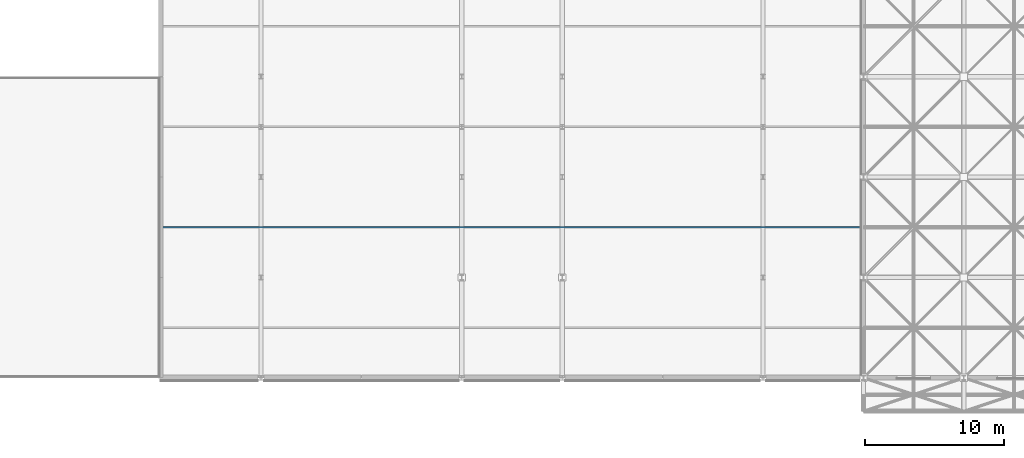
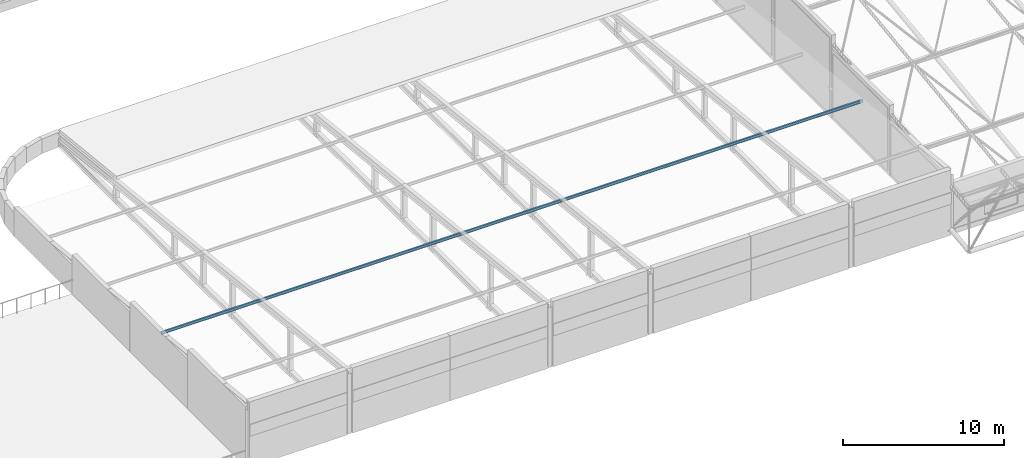
# One storey, part 23 of 103: 1 member.
"""IFC4 building model written with IfcOpenShell, lengths in metres."""

from ifc_helpers import new_model, si_unit, direction, frame, origin, origin_2d, place, context, subcontext, project, spatial, i_section, extrude, material, material_profile, profile_set, type_object, element, save


model = new_model("IFC4")

# Units and contexts
model_context = context("Model", 3, precision=1e-05, world=origin(), true_north=direction((0.0, 1.0)))
body_context = subcontext(model_context, "Body", "Model", "MODEL_VIEW")
ifc_project = project(units=[si_unit("LENGTHUNIT", "METRE"), si_unit("AREAUNIT", "SQUARE_METRE"), si_unit("VOLUMEUNIT", "CUBIC_METRE"), si_unit("PLANEANGLEUNIT", "RADIAN"), si_unit("MASSUNIT", "GRAM", prefix="KILO")], contexts=[model_context])

# Site, building, storey
site_placement = place(None, origin())
site = spatial("IfcSite", under=ifc_project, at=site_placement, CompositionType="ELEMENT")
building_placement = place(site_placement, origin())
building = spatial("IfcBuilding", under=site, at=building_placement, Name="Thalmaran Polytechnic", CompositionType="ELEMENT")
storey_placement = place(building_placement, frame((0.0, 0.0, 14.39990234375)))
storey = spatial("IfcBuildingStorey", under=building, at=storey_placement, Name="L03", CompositionType="ELEMENT", Elevation=14.39990234375)

# Member
ifc_material = material(Name="Steel S355", Category="steel")
ifc_material_profile = material_profile(ifc_material, i_section(OverallWidth=0.110107421875, OverallDepth=0.219970703125, WebThickness=0.005859375, FlangeThickness=0.00927734375, at=origin_2d()), Name="IPE 220")
ifc_profile_set = profile_set([ifc_material_profile], Name="Steel S355")
member_type = type_object("IfcMemberType", Name="MB-PUR1", PredefinedType="PURLIN", material=ifc_profile_set)
member_placement = place(storey_placement, frame((57.60009765625, 10.800048828125, 3.51513671875), z_axis=(1.0, 0.0, 0.0), x_axis=(0.0, 1.0, 0.0)))
element("IfcMember", 1, at=member_placement, inside=storey, type_object=member_type, Name="Lecture Roof Purlin Y=10.8", PredefinedType="PURLIN", context=body_context, shape_type="SweptSolid", body=[
    extrude(i_section(OverallWidth=0.110107421875, OverallDepth=0.219970703125, WebThickness=0.005859375, FlangeThickness=0.00927734375, at=origin_2d()), origin(), (0.0, 0.0, 1.0), 50.39990234375),
])

save(model, "model.ifc")
